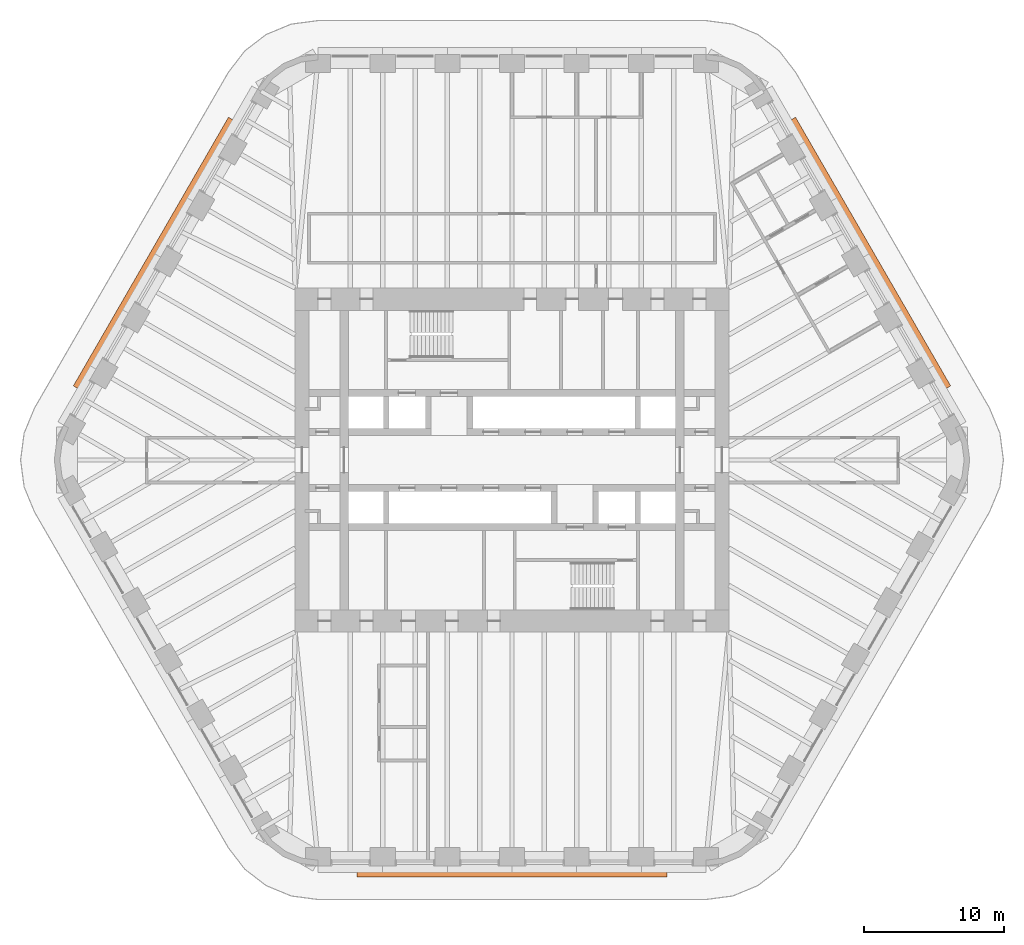
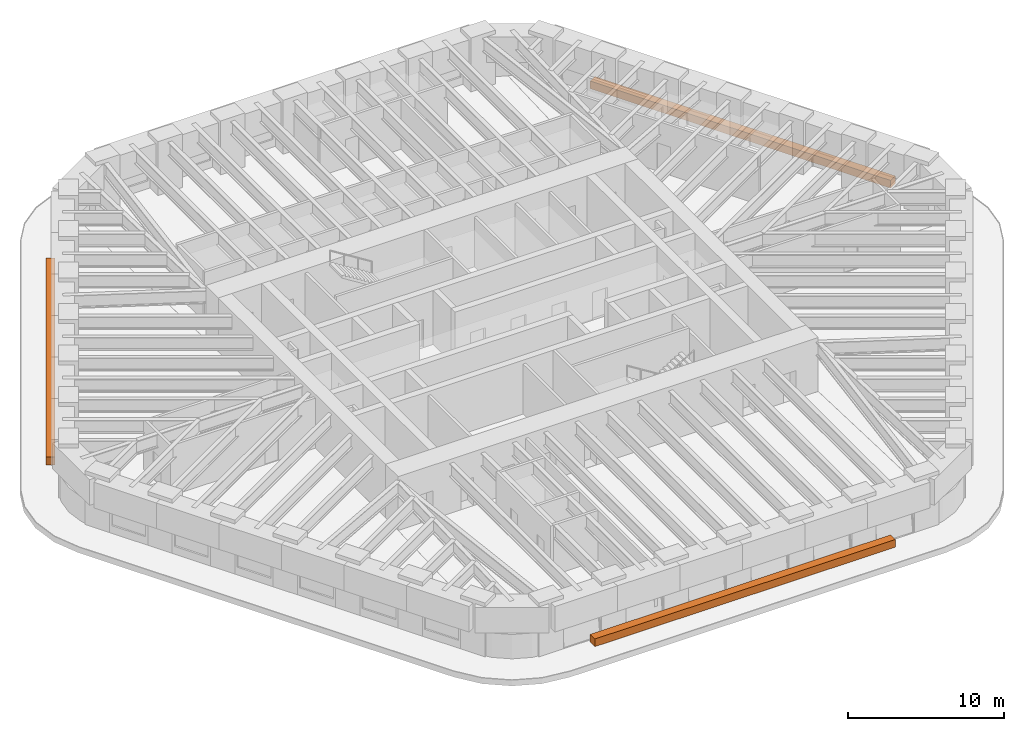
# One storey, part 12 of 12: 3 proxies.
"""IFC4 building model written with IfcOpenShell, lengths in metres."""

from ifc_helpers import new_model, si_unit, direction, frame, origin, origin_2d, place, context, subcontext, project, spatial, rectangle, extrude, material, element, save


model = new_model("IFC4")

# Units and contexts
model_context = context("Model", 3, precision=1e-05, world=origin(), true_north=direction((0.0, 1.0)))
body_context = subcontext(model_context, "Body", "Model", "MODEL_VIEW")
ifc_project = project(units=[si_unit("LENGTHUNIT", "METRE"), si_unit("AREAUNIT", "SQUARE_METRE"), si_unit("VOLUMEUNIT", "CUBIC_METRE"), si_unit("PLANEANGLEUNIT", "RADIAN"), si_unit("MASSUNIT", "GRAM", prefix="KILO")], contexts=[model_context])

# Site, building, storey
site_placement = place(None, origin())
site = spatial("IfcSite", under=ifc_project, at=site_placement, CompositionType="ELEMENT")
building_placement = place(site_placement, origin())
building = spatial("IfcBuilding", under=site, at=building_placement, Name="Tarfa Lantern Tower", CompositionType="ELEMENT")
storey_placement = place(building_placement, frame((0.0, 0.0, 295.300048828125)))
storey = spatial("IfcBuildingStorey", under=building, at=storey_placement, Name="L67", CompositionType="ELEMENT", Elevation=295.300048828125)

# Proxies
ifc_material = material(Name="Planting bed")
for number, where, z_axis, x_axis, name in (
    (1, (25.5478515625, 14.75, 0.0), (0.0, 0.0, 1.0), (-0.5, 0.866025403784, 0.0), "Ledge planter"),
    (2, (-25.5478515625, 14.75, 0.0), (0.0, 0.0, 1.0), (-0.5, -0.866025403784, 0.0), "Ledge planter"),
    (3, (0.0, -29.5, 0.0), (0.0, 0.0, 1.0), (1.0, 0.0, 0.0), "Ledge planter"),
):
    element("IfcBuildingElementProxy", number, at=place(storey_placement, frame(where, z_axis=z_axis, x_axis=x_axis)), inside=storey, material=ifc_material, Name=name, ObjectType="PLANTER", PredefinedType="USERDEFINED", context=body_context, shape_type="SweptSolid", body=[
        extrude(rectangle(XDim=22.170166015625, YDim=0.60009765625, at=origin_2d()), origin(), (0.0, 0.0, 1.0), 0.60009765625),
    ])

save(model, "model.ifc")
